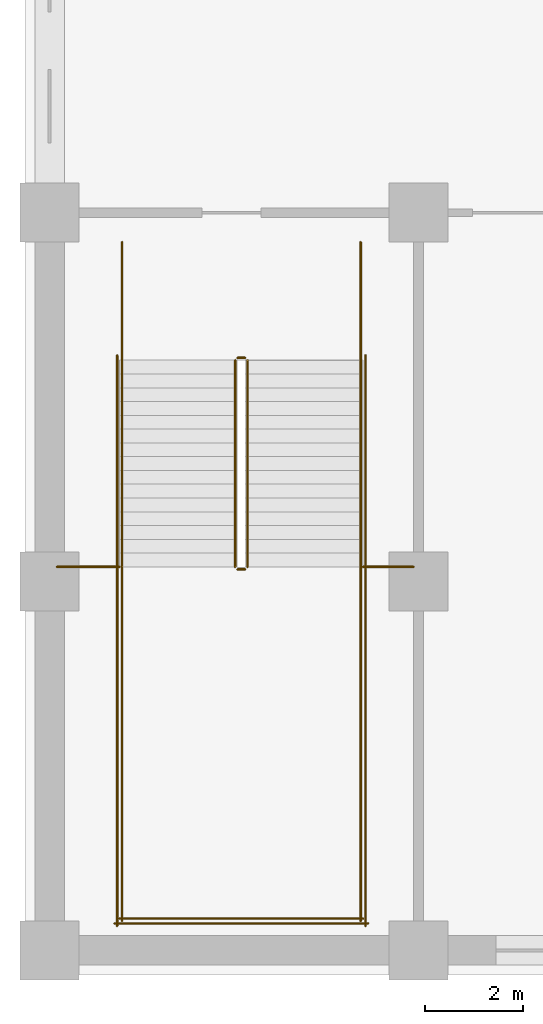
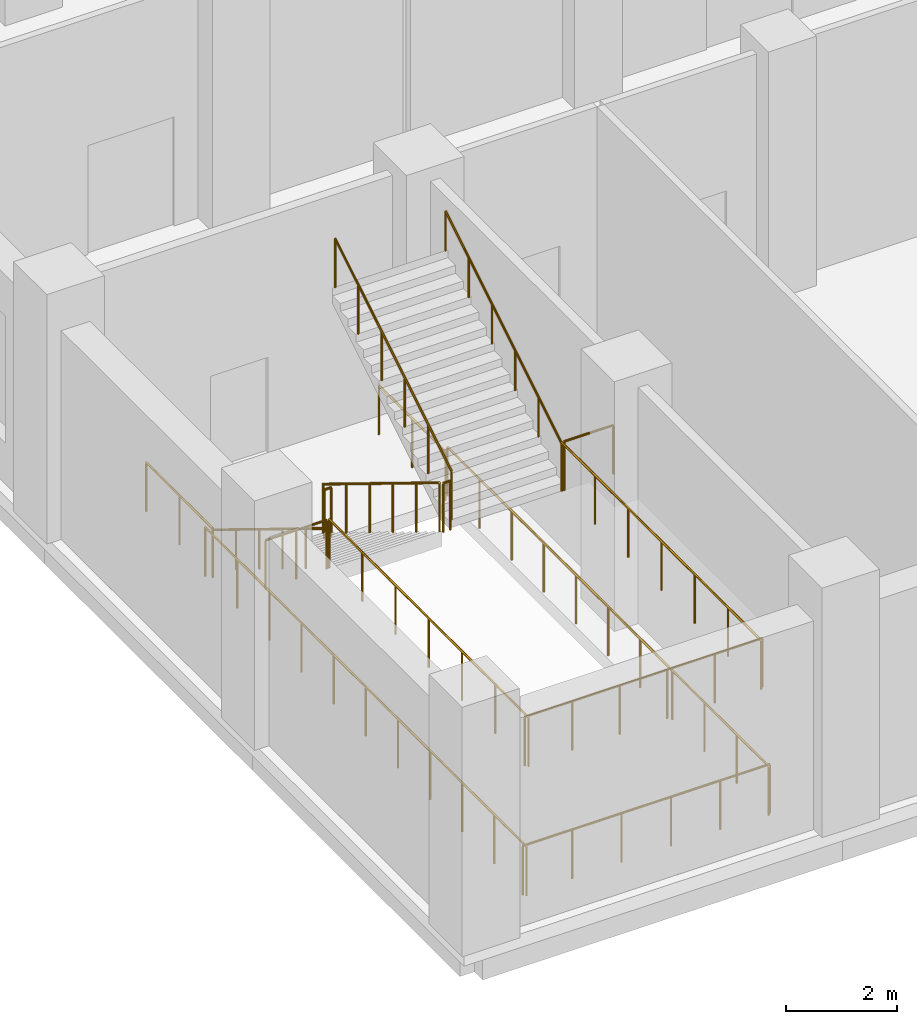
# One storey, part 19 of 25: 16 railings.
"""IFC4 building model written with IfcOpenShell, lengths in metres."""

from ifc_helpers import new_model, si_unit, direction, frame, origin, origin_2d, place, context, subcontext, project, spatial, circle, extrude, material, type_object, element, save


model = new_model("IFC4")

# Units and contexts
model_context = context("Model", 3, precision=1e-05, world=origin(), true_north=direction((0.0, 1.0)))
body_context = subcontext(model_context, "Body", "Model", "MODEL_VIEW")
ifc_project = project(units=[si_unit("LENGTHUNIT", "METRE"), si_unit("AREAUNIT", "SQUARE_METRE"), si_unit("VOLUMEUNIT", "CUBIC_METRE"), si_unit("PLANEANGLEUNIT", "RADIAN"), si_unit("MASSUNIT", "GRAM", prefix="KILO")], contexts=[model_context])

# Site, building, storey
site_placement = place(None, origin())
site = spatial("IfcSite", under=ifc_project, at=site_placement, CompositionType="ELEMENT")
building_placement = place(site_placement, origin())
building = spatial("IfcBuilding", under=site, at=building_placement, Name="Tamorin Gate", CompositionType="ELEMENT")
storey_placement = place(building_placement, frame((0.0, 0.0, 23.5)))
storey = spatial("IfcBuildingStorey", under=building, at=storey_placement, Name="L04", CompositionType="ELEMENT", Elevation=23.5)

# Railings
ifc_material = material(Name="Steel", Category="steel")
railing_type_1 = type_object("IfcRailingType", Name="Podium guard 1100", PredefinedType="GUARDRAIL", material=ifc_material)
railing_1_placement = place(storey_placement, frame((19.27490234375, 42.5, 0.171875)))
element("IfcRailing", 1, at=railing_1_placement, inside=storey, type_object=railing_type_1, Name="L04 PS1 stair guard 1", PredefinedType="GUARDRAIL", context=body_context, shape_type="SweptSolid", body=[
    extrude(circle(Radius=0.02392578125, at=origin_2d()), frame((0.0, 0.0, 1.076171875), z_axis=(0.0, -0.852242915053, 0.523146264196), x_axis=(1.0, 0.0, 0.0)), (0.0, 0.0, 1.0), 4.92822265625),
    extrude(circle(Radius=0.02099609375, at=origin_2d()), origin(), (0.0, 0.0, 1.0), 1.052001953125),
    extrude(circle(Radius=0.02099609375, at=origin_2d()), frame((0.0, -0.840087890625, 0.515625)), (0.0, 0.0, 1.0), 1.052001953125),
    extrude(circle(Radius=0.02099609375, at=origin_2d()), frame((0.0, -1.679931640625, 1.03125)), (0.0, 0.0, 1.0), 1.052001953125),
    extrude(circle(Radius=0.02099609375, at=origin_2d()), frame((0.0, -2.52001953125, 1.546875)), (0.0, 0.0, 1.0), 1.052001953125),
    extrude(circle(Radius=0.02099609375, at=origin_2d()), frame((0.0, -3.35986328125, 2.0625)), (0.0, 0.0, 1.0), 1.052001953125),
    extrude(circle(Radius=0.02099609375, at=origin_2d()), frame((0.0, -4.199951171875, 2.578125)), (0.0, 0.0, 1.0), 1.052001953125),
])
railing_2_placement = place(storey_placement, frame((19.324951171875, 38.25, 2.75)))
element("IfcRailing", 2, at=railing_2_placement, inside=storey, type_object=railing_type_1, Name="L04 PS1 stair guard 2", PredefinedType="GUARDRAIL", context=body_context, shape_type="SweptSolid", body=[
    extrude(circle(Radius=0.02392578125, at=origin_2d()), frame((0.0, 0.0, 1.076171875), z_axis=(1.0, 0.0, 0.0), x_axis=(0.0, 1.0, 0.0)), (0.0, 0.0, 1.0), 0.150146484375),
    extrude(circle(Radius=0.02099609375, at=origin_2d()), origin(), (0.0, 0.0, 1.0), 1.052001953125),
    extrude(circle(Radius=0.02099609375, at=origin_2d()), frame((0.150146484375, 0.0, 0.0)), (0.0, 0.0, 1.0), 1.052001953125),
])
for number, where, name in (
    (3, (16.97509765625, 38.300048828125, 2.75), "L04 PS1 stair guard 3"),
    (4, (21.824951171875, 38.300048828125, 2.75), "L04 PS1 stair guard 4"),
):
    element("IfcRailing", number, at=place(storey_placement, frame(where)), inside=storey, type_object=railing_type_1, Name=name, PredefinedType="GUARDRAIL", context=body_context, shape_type="SweptSolid", body=[
        extrude(circle(Radius=0.02392578125, at=origin_2d()), frame((0.0, 0.0, 1.076171875), z_axis=(0.0, -1.0, 0.0), x_axis=(1.0, 0.0, 0.0)), (0.0, 0.0, 1.0), 7.199951171875),
        extrude(circle(Radius=0.02099609375, at=origin_2d()), origin(), (0.0, 0.0, 1.0), 1.052001953125),
        extrude(circle(Radius=0.02099609375, at=origin_2d()), frame((0.0, -1.199951171875, 0.0)), (0.0, 0.0, 1.0), 1.052001953125),
        extrude(circle(Radius=0.02099609375, at=origin_2d()), frame((0.0, -2.39990234375, 0.0)), (0.0, 0.0, 1.0), 1.052001953125),
        extrude(circle(Radius=0.02099609375, at=origin_2d()), frame((0.0, -3.60009765625, 0.0)), (0.0, 0.0, 1.0), 1.052001953125),
        extrude(circle(Radius=0.02099609375, at=origin_2d()), frame((0.0, -4.800048828125, 0.0)), (0.0, 0.0, 1.0), 1.052001953125),
        extrude(circle(Radius=0.02099609375, at=origin_2d()), frame((0.0, -6.0, 0.0)), (0.0, 0.0, 1.0), 1.052001953125),
        extrude(circle(Radius=0.02099609375, at=origin_2d()), frame((0.0, -7.199951171875, 0.0)), (0.0, 0.0, 1.0), 1.052001953125),
    ])
railing_3_placement = place(storey_placement, frame((16.925048828125, 31.14990234375, 2.75)))
element("IfcRailing", 5, at=railing_3_placement, inside=storey, type_object=railing_type_1, Name="L04 PS1 stair guard 5", PredefinedType="GUARDRAIL", context=body_context, shape_type="SweptSolid", body=[
    extrude(circle(Radius=0.02392578125, at=origin_2d()), frame((0.0, 0.0, 1.076171875), z_axis=(1.0, 0.0, 0.0), x_axis=(0.0, 1.0, 0.0)), (0.0, 0.0, 1.0), 4.949951171875),
    extrude(circle(Radius=0.02099609375, at=origin_2d()), origin(), (0.0, 0.0, 1.0), 1.052001953125),
    extrude(circle(Radius=0.02099609375, at=origin_2d()), frame((0.989990234375, 0.0, 0.0)), (0.0, 0.0, 1.0), 1.052001953125),
    extrude(circle(Radius=0.02099609375, at=origin_2d()), frame((1.97998046875, 0.0, 0.0)), (0.0, 0.0, 1.0), 1.052001953125),
    extrude(circle(Radius=0.02099609375, at=origin_2d()), frame((2.969970703125, 0.0, 0.0)), (0.0, 0.0, 1.0), 1.052001953125),
    extrude(circle(Radius=0.02099609375, at=origin_2d()), frame((3.9599609375, 0.0, 0.0)), (0.0, 0.0, 1.0), 1.052001953125),
    extrude(circle(Radius=0.02099609375, at=origin_2d()), frame((4.949951171875, 0.0, 0.0)), (0.0, 0.0, 1.0), 1.052001953125),
])
railing_4_placement = place(storey_placement, frame((19.52490234375, 38.300048828125, 2.921875)))
element("IfcRailing", 6, at=railing_4_placement, inside=storey, type_object=railing_type_1, Name="L04 PS1 stair guard 6", PredefinedType="GUARDRAIL", context=body_context, shape_type="SweptSolid", body=[
    extrude(circle(Radius=0.02392578125, at=origin_2d()), frame((0.0, 0.0, 1.076171875), z_axis=(0.0, 0.852242915053, 0.523146264196), x_axis=(-1.0, 0.0, 0.0)), (0.0, 0.0, 1.0), 4.92822265625),
    extrude(circle(Radius=0.02099609375, at=origin_2d()), origin(), (0.0, 0.0, 1.0), 1.052001953125),
    extrude(circle(Radius=0.02099609375, at=origin_2d()), frame((0.0, 0.840087890625, 0.515625)), (0.0, 0.0, 1.0), 1.052001953125),
    extrude(circle(Radius=0.02099609375, at=origin_2d()), frame((0.0, 1.679931640625, 1.03125)), (0.0, 0.0, 1.0), 1.052001953125),
    extrude(circle(Radius=0.02099609375, at=origin_2d()), frame((0.0, 2.52001953125, 1.546875)), (0.0, 0.0, 1.0), 1.052001953125),
    extrude(circle(Radius=0.02099609375, at=origin_2d()), frame((0.0, 3.35986328125, 2.0625)), (0.0, 0.0, 1.0), 1.052001953125),
    extrude(circle(Radius=0.02099609375, at=origin_2d()), frame((0.0, 4.199951171875, 2.578125)), (0.0, 0.0, 1.0), 1.052001953125),
])
railing_5_placement = place(storey_placement, frame((19.324951171875, 42.550048828125, 0.0)))
element("IfcRailing", 7, at=railing_5_placement, inside=storey, type_object=railing_type_1, Name="L04 PS1 stair guard 7", PredefinedType="GUARDRAIL", context=body_context, shape_type="SweptSolid", body=[
    extrude(circle(Radius=0.02392578125, at=origin_2d()), frame((0.0, 0.0, 1.076171875), z_axis=(1.0, 0.0, 0.0), x_axis=(0.0, 1.0, 0.0)), (0.0, 0.0, 1.0), 0.150146484375),
    extrude(circle(Radius=0.02099609375, at=origin_2d()), origin(), (0.0, 0.0, 1.0), 1.052001953125),
    extrude(circle(Radius=0.02099609375, at=origin_2d()), frame((0.150146484375, 0.0, 0.0)), (0.0, 0.0, 1.0), 1.052001953125),
])
for number, where, name in (
    (8, (16.97509765625, 44.89990234375, 0.0), "L04 PS1 stair guard 8"),
    (9, (21.824951171875, 44.89990234375, 0.0), "L04 PS1 stair guard 9"),
):
    element("IfcRailing", number, at=place(storey_placement, frame(where)), inside=storey, type_object=railing_type_1, Name=name, PredefinedType="GUARDRAIL", context=body_context, shape_type="SweptSolid", body=[
        extrude(circle(Radius=0.02392578125, at=origin_2d()), frame((0.0, 0.0, 1.076171875), z_axis=(0.0, -1.0, 0.0), x_axis=(1.0, 0.0, 0.0)), (0.0, 0.0, 1.0), 2.39990234375),
        extrude(circle(Radius=0.02099609375, at=origin_2d()), origin(), (0.0, 0.0, 1.0), 1.052001953125),
        extrude(circle(Radius=0.02099609375, at=origin_2d()), frame((0.0, -1.199951171875, 0.0)), (0.0, 0.0, 1.0), 1.052001953125),
        extrude(circle(Radius=0.02099609375, at=origin_2d()), frame((0.0, -2.39990234375, 0.0)), (0.0, 0.0, 1.0), 1.052001953125),
    ])
for number, where, name in (
    (10, (16.875, 42.60009765625, 0.0), "L04 PS1 stair guard 10"),
    (11, (21.925048828125, 42.60009765625, 0.0), "L04 PS1 stair guard 11"),
):
    element("IfcRailing", number, at=place(storey_placement, frame(where)), inside=storey, type_object=railing_type_1, Name=name, PredefinedType="GUARDRAIL", context=body_context, shape_type="SweptSolid", body=[
        extrude(circle(Radius=0.02392578125, at=origin_2d()), frame((0.0, 0.0, 1.076171875), z_axis=(0.0, -1.0, 0.0), x_axis=(1.0, 0.0, 0.0)), (0.0, 0.0, 1.0), 11.60009765625),
        extrude(circle(Radius=0.02099609375, at=origin_2d()), origin(), (0.0, 0.0, 1.0), 1.052001953125),
        extrude(circle(Radius=0.02099609375, at=origin_2d()), frame((0.0, -1.159912109375, 0.0)), (0.0, 0.0, 1.0), 1.052001953125),
        extrude(circle(Radius=0.02099609375, at=origin_2d()), frame((0.0, -2.320068359375, 0.0)), (0.0, 0.0, 1.0), 1.052001953125),
        extrude(circle(Radius=0.02099609375, at=origin_2d()), frame((0.0, -3.47998046875, 0.0)), (0.0, 0.0, 1.0), 1.052001953125),
        extrude(circle(Radius=0.02099609375, at=origin_2d()), frame((0.0, -4.64013671875, 0.0)), (0.0, 0.0, 1.0), 1.052001953125),
        extrude(circle(Radius=0.02099609375, at=origin_2d()), frame((0.0, -5.800048828125, 0.0)), (0.0, 0.0, 1.0), 1.052001953125),
        extrude(circle(Radius=0.02099609375, at=origin_2d()), frame((0.0, -6.9599609375, 0.0)), (0.0, 0.0, 1.0), 1.052001953125),
        extrude(circle(Radius=0.02099609375, at=origin_2d()), frame((0.0, -8.1201171875, 0.0)), (0.0, 0.0, 1.0), 1.052001953125),
        extrude(circle(Radius=0.02099609375, at=origin_2d()), frame((0.0, -9.280029296875, 0.0)), (0.0, 0.0, 1.0), 1.052001953125),
        extrude(circle(Radius=0.02099609375, at=origin_2d()), frame((0.0, -10.440185546875, 0.0)), (0.0, 0.0, 1.0), 1.052001953125),
        extrude(circle(Radius=0.02099609375, at=origin_2d()), frame((0.0, -11.60009765625, 0.0)), (0.0, 0.0, 1.0), 1.052001953125),
    ])
railing_6_placement = place(storey_placement, frame((16.824951171875, 31.050048828125, 0.0)))
element("IfcRailing", 12, at=railing_6_placement, inside=storey, type_object=railing_type_1, Name="L04 PS1 stair guard 12", PredefinedType="GUARDRAIL", context=body_context, shape_type="SweptSolid", body=[
    extrude(circle(Radius=0.02392578125, at=origin_2d()), frame((0.0, 0.0, 1.076171875), z_axis=(1.0, 0.0, 0.0), x_axis=(0.0, 1.0, 0.0)), (0.0, 0.0, 1.0), 5.150146484375),
    extrude(circle(Radius=0.02099609375, at=origin_2d()), origin(), (0.0, 0.0, 1.0), 1.052001953125),
    extrude(circle(Radius=0.02099609375, at=origin_2d()), frame((1.030029296875, 0.0, 0.0)), (0.0, 0.0, 1.0), 1.052001953125),
    extrude(circle(Radius=0.02099609375, at=origin_2d()), frame((2.06005859375, 0.0, 0.0)), (0.0, 0.0, 1.0), 1.052001953125),
    extrude(circle(Radius=0.02099609375, at=origin_2d()), frame((3.090087890625, 0.0, 0.0)), (0.0, 0.0, 1.0), 1.052001953125),
    extrude(circle(Radius=0.02099609375, at=origin_2d()), frame((4.1201171875, 0.0, 0.0)), (0.0, 0.0, 1.0), 1.052001953125),
    extrude(circle(Radius=0.02099609375, at=origin_2d()), frame((5.150146484375, 0.0, 0.0)), (0.0, 0.0, 1.0), 1.052001953125),
])
railing_7_placement = place(storey_placement, frame((15.64990234375, 38.300048828125, 2.75)))
element("IfcRailing", 13, at=railing_7_placement, inside=storey, type_object=railing_type_1, Name="Landing edge guard", PredefinedType="GUARDRAIL", context=body_context, shape_type="SweptSolid", body=[
    extrude(circle(Radius=0.02392578125, at=origin_2d()), frame((0.0, 0.0, 1.076171875), z_axis=(1.0, 0.0, 0.0), x_axis=(0.0, 1.0, 0.0)), (0.0, 0.0, 1.0), 1.275146484375),
    extrude(circle(Radius=0.02099609375, at=origin_2d()), origin(), (0.0, 0.0, 1.0), 1.052001953125),
    extrude(circle(Radius=0.02099609375, at=origin_2d()), frame((0.6376953125, 0.0, 0.0)), (0.0, 0.0, 1.0), 1.052001953125),
    extrude(circle(Radius=0.02099609375, at=origin_2d()), frame((1.275146484375, 0.0, 0.0)), (0.0, 0.0, 1.0), 1.052001953125),
])
railing_8_placement = place(storey_placement, frame((21.875, 38.300048828125, 2.75)))
element("IfcRailing", 14, at=railing_8_placement, inside=storey, type_object=railing_type_1, Name="Landing edge guard", PredefinedType="GUARDRAIL", context=body_context, shape_type="SweptSolid", body=[
    extrude(circle(Radius=0.02392578125, at=origin_2d()), frame((0.0, 0.0, 1.076171875), z_axis=(1.0, 0.0, 0.0), x_axis=(0.0, 1.0, 0.0)), (0.0, 0.0, 1.0), 1.02490234375),
    extrude(circle(Radius=0.02099609375, at=origin_2d()), origin(), (0.0, 0.0, 1.0), 1.052001953125),
    extrude(circle(Radius=0.02099609375, at=origin_2d()), frame((1.02490234375, 0.0, 0.0)), (0.0, 0.0, 1.0), 1.052001953125),
])
railing_type_2 = type_object("IfcRailingType", Name="Podium stair handrail 900", PredefinedType="HANDRAIL", material=ifc_material)
railing_9_placement = place(storey_placement, frame((16.97509765625, 42.5, 0.171875)))
element("IfcRailing", 15, at=railing_9_placement, inside=storey, type_object=railing_type_2, Name="L04 PS1 stair handrail 1", PredefinedType="HANDRAIL", context=body_context, shape_type="SweptSolid", body=[
    extrude(circle(Radius=0.02392578125, at=origin_2d()), frame((0.0, 0.0, 0.8759765625), z_axis=(0.0, -0.852242915053, 0.523146264196), x_axis=(1.0, 0.0, 0.0)), (0.0, 0.0, 1.0), 4.92822265625),
    extrude(circle(Radius=0.02099609375, at=origin_2d()), origin(), (0.0, 0.0, 1.0), 0.851806640625),
    extrude(circle(Radius=0.02099609375, at=origin_2d()), frame((0.0, -0.840087890625, 0.515625)), (0.0, 0.0, 1.0), 0.851806640625),
    extrude(circle(Radius=0.02099609375, at=origin_2d()), frame((0.0, -1.679931640625, 1.03125)), (0.0, 0.0, 1.0), 0.851806640625),
    extrude(circle(Radius=0.02099609375, at=origin_2d()), frame((0.0, -2.52001953125, 1.546875)), (0.0, 0.0, 1.0), 0.851806640625),
    extrude(circle(Radius=0.02099609375, at=origin_2d()), frame((0.0, -3.35986328125, 2.0625)), (0.0, 0.0, 1.0), 0.851806640625),
    extrude(circle(Radius=0.02099609375, at=origin_2d()), frame((0.0, -4.199951171875, 2.578125)), (0.0, 0.0, 1.0), 0.851806640625),
])
railing_10_placement = place(storey_placement, frame((21.824951171875, 38.300048828125, 2.921875)))
element("IfcRailing", 16, at=railing_10_placement, inside=storey, type_object=railing_type_2, Name="L04 PS1 stair handrail 2", PredefinedType="HANDRAIL", context=body_context, shape_type="SweptSolid", body=[
    extrude(circle(Radius=0.02392578125, at=origin_2d()), frame((0.0, 0.0, 0.8759765625), z_axis=(0.0, 0.852242915053, 0.523146264196), x_axis=(-1.0, 0.0, 0.0)), (0.0, 0.0, 1.0), 4.92822265625),
    extrude(circle(Radius=0.02099609375, at=origin_2d()), origin(), (0.0, 0.0, 1.0), 0.851806640625),
    extrude(circle(Radius=0.02099609375, at=origin_2d()), frame((0.0, 0.840087890625, 0.515625)), (0.0, 0.0, 1.0), 0.851806640625),
    extrude(circle(Radius=0.02099609375, at=origin_2d()), frame((0.0, 1.679931640625, 1.03125)), (0.0, 0.0, 1.0), 0.851806640625),
    extrude(circle(Radius=0.02099609375, at=origin_2d()), frame((0.0, 2.52001953125, 1.546875)), (0.0, 0.0, 1.0), 0.851806640625),
    extrude(circle(Radius=0.02099609375, at=origin_2d()), frame((0.0, 3.35986328125, 2.0625)), (0.0, 0.0, 1.0), 0.851806640625),
    extrude(circle(Radius=0.02099609375, at=origin_2d()), frame((0.0, 4.199951171875, 2.578125)), (0.0, 0.0, 1.0), 0.851806640625),
])

save(model, "model.ifc")
